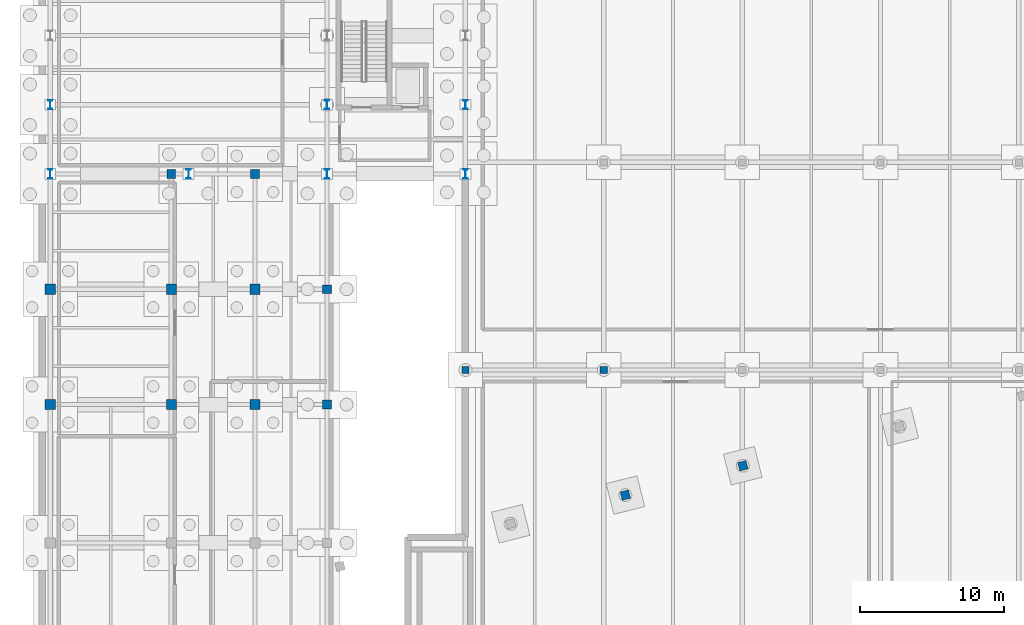
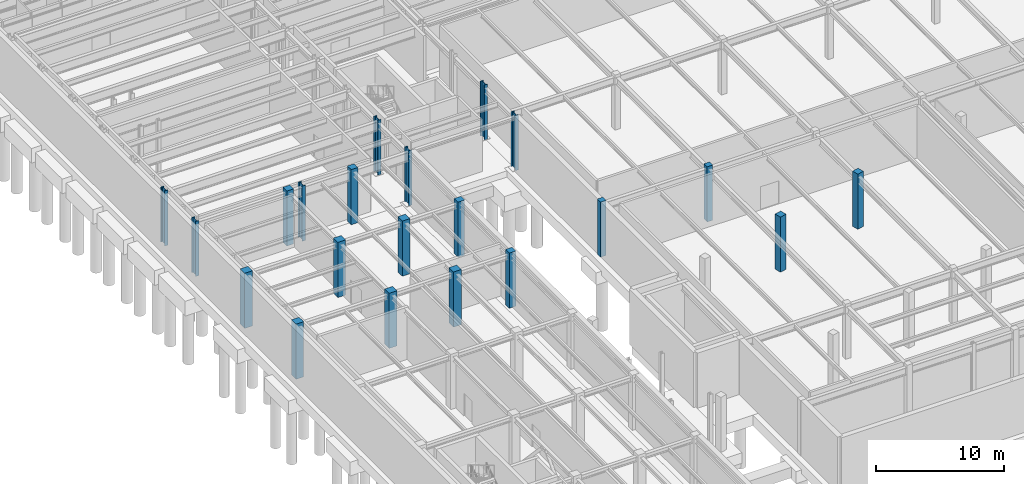
# One storey, part 8 of 33: 21 columns.
"""IFC4 building model written with IfcOpenShell, lengths in metres."""

from ifc_helpers import new_model, si_unit, direction, frame, origin, origin_2d, place, context, subcontext, project, spatial, rectangle, i_section, extrude, material, material_profile, profile_set, type_object, element, save


model = new_model("IFC4")

# Units and contexts
model_context = context("Model", 3, precision=1e-05, world=origin(), true_north=direction((0.0, 1.0)))
body_context = subcontext(model_context, "Body", "Model", "MODEL_VIEW")
ifc_project = project(units=[si_unit("LENGTHUNIT", "METRE"), si_unit("AREAUNIT", "SQUARE_METRE"), si_unit("VOLUMEUNIT", "CUBIC_METRE"), si_unit("PLANEANGLEUNIT", "RADIAN"), si_unit("MASSUNIT", "GRAM", prefix="KILO")], contexts=[model_context])

# Site, building, storey
site_placement = place(None, origin())
site = spatial("IfcSite", under=ifc_project, at=site_placement, CompositionType="ELEMENT")
building_placement = place(site_placement, origin())
building = spatial("IfcBuilding", under=site, at=building_placement, Name="Nordkorset Police Headquarters", CompositionType="ELEMENT")
storey_placement = place(building_placement, frame((0.0, 0.0, -9.800048828125)))
storey = spatial("IfcBuildingStorey", under=building, at=storey_placement, Name="B02", CompositionType="ELEMENT", Elevation=-9.800048828125)

# Columns
ifc_material_1 = material(Name="Steel S355J2", Category="steel")
ifc_material_profile_1 = material_profile(ifc_material_1, i_section(OverallWidth=0.300048828125, OverallDepth=0.64990234375, WebThickness=0.01611328125, FlangeThickness=0.031005859375, FilletRadius=0.027099609375, at=origin_2d()), Name="HEB 650")
ifc_profile_set_1 = profile_set([ifc_material_profile_1], Name="Steel S355J2")
column_type_1 = type_object("IfcColumnType", Name="Col_HEB_650", PredefinedType="COLUMN", material=ifc_profile_set_1)
for number, where, z_axis, x_axis, name in (
    (1, (0.0, 83.199951171875, 0.0), (0.0, 0.0, 1.0), (1.0, 0.0, 0.0), "Structural Column V1_W_0 B02"),
    (2, (28.800048828125, 83.199951171875, 0.0), (0.0, 0.0, 1.0), (1.0, 0.0, 0.0), "Structural Column V1_E_0 B02"),
    (3, (0.0, 88.0, 0.0), (0.0, 0.0, 1.0), (1.0, 0.0, 0.0), "Structural Column V1_W_1 B02"),
    (4, (28.800048828125, 88.0, 0.0), (0.0, 0.0, 1.0), (1.0, 0.0, 0.0), "Structural Column V1_E_1 B02"),
    (5, (9.60009765625, 83.199951171875, 0.0), (0.0, 0.0, 1.0), (1.0, 0.0, 0.0), "Structural Column V1_S_0 B02"),
    (6, (19.199951171875, 83.199951171875, 0.0), (0.0, 0.0, 1.0), (1.0, 0.0, 0.0), "Structural Column V1_S_1 B02"),
    (7, (19.199951171875, 88.0, 0.0), (0.0, 0.0, 1.0), (1.0, 0.0, 0.0), "Structural Column V1_CW_0 B02"),
):
    element("IfcColumn", number, at=place(storey_placement, frame(where, z_axis=z_axis, x_axis=x_axis)), inside=storey, type_object=column_type_1, Name=name, PredefinedType="COLUMN", context=body_context, shape_type="SweptSolid", body=[
        extrude(i_section(OverallWidth=0.300048828125, OverallDepth=0.64990234375, WebThickness=0.01611328125, FlangeThickness=0.031005859375, FilletRadius=0.027099609375, at=origin_2d()), origin(), (0.0, 0.0, 1.0), 5.25),
    ])
ifc_material_2 = material(Name="Concrete C45/55", Category="concrete")
ifc_material_profile_2 = material_profile(ifc_material_2, rectangle(XDim=0.5, YDim=0.5, at=origin_2d()), Name="RC 500x500")
ifc_profile_set_2 = profile_set([ifc_material_profile_2], Name="Concrete C45/55")
column_type_2 = type_object("IfcColumnType", Name="Col_RC_500x500", PredefinedType="COLUMN", material=ifc_profile_set_2)
for number, where, z_axis, x_axis, name in (
    (8, (28.800048828125, 69.60009765625, 0.0), (0.0, 0.0, 1.0), (1.0, 0.0, 0.0), "Structural Column SUB_C_0_2 B02"),
    (9, (38.39990234375, 69.60009765625, 0.0), (0.0, 0.0, 1.0), (1.0, 0.0, 0.0), "Structural Column SUB_C_1_2 B02"),
):
    element("IfcColumn", number, at=place(storey_placement, frame(where, z_axis=z_axis, x_axis=x_axis)), inside=storey, type_object=column_type_2, Name=name, PredefinedType="COLUMN", context=body_context, shape_type="SweptSolid", body=[
        extrude(rectangle(XDim=0.5, YDim=0.5, at=origin_2d()), origin(), (0.0, 0.0, 1.0), 5.25),
    ])
ifc_material_3 = material(Name="Concrete C45/55", Category="concrete")
ifc_material_profile_3 = material_profile(ifc_material_3, rectangle(XDim=0.60009765625, YDim=0.60009765625, at=origin_2d()), Name="RC 600x600")
ifc_profile_set_3 = profile_set([ifc_material_profile_3], Name="Concrete C45/55")
column_type_3 = type_object("IfcColumnType", Name="Col_RC_600x600", PredefinedType="COLUMN", material=ifc_profile_set_3)
for number, where, z_axis, x_axis, name in (
    (10, (19.199951171875, 67.199951171875, 0.0), (0.0, 0.0, 1.0), (1.0, 0.0, 0.0), "Structural Column V3_X3_4 B02"),
    (11, (19.199951171875, 75.199951171875, 0.0), (0.0, 0.0, 1.0), (1.0, 0.0, 0.0), "Structural Column V3_X3_5 B02"),
    (12, (8.39990234375, 83.199951171875, 0.0), (0.0, 0.0, 1.0), (1.0, 0.0, 0.0), "Structural Column V3_X1_6 B02"),
    (13, (14.199951171875, 83.199951171875, 0.0), (0.0, 0.0, 1.0), (1.0, 0.0, 0.0), "Structural Column V3_X2_6 B02"),
    (14, (39.8984375, 60.917724609375, 0.0), (0.0, 0.0, 1.0), (0.970142500145, 0.242535625038, 0.0), "Structural Column V4_U2_V1 B02"),
    (15, (48.047607421875, 62.955078125, 0.0), (0.0, 0.0, 1.0), (0.970142500145, 0.242535625038, 0.0), "Structural Column V4_U3_V1 B02"),
):
    element("IfcColumn", number, at=place(storey_placement, frame(where, z_axis=z_axis, x_axis=x_axis)), inside=storey, type_object=column_type_3, Name=name, PredefinedType="COLUMN", context=body_context, shape_type="SweptSolid", body=[
        extrude(rectangle(XDim=0.60009765625, YDim=0.60009765625, at=origin_2d()), origin(), (0.0, 0.0, 1.0), 5.25),
    ])
ifc_material_4 = material(Name="Concrete C45/55", Category="concrete")
ifc_material_profile_4 = material_profile(ifc_material_4, rectangle(XDim=0.699951171875, YDim=0.699951171875, at=origin_2d()), Name="RC 700x700")
ifc_profile_set_4 = profile_set([ifc_material_profile_4], Name="Concrete C45/55")
column_type_4 = type_object("IfcColumnType", Name="Col_RC_700x700", PredefinedType="COLUMN", material=ifc_profile_set_4)
for number, where, z_axis, x_axis, name in (
    (16, (0.0, 67.199951171875, 0.0), (0.0, 0.0, 1.0), (1.0, 0.0, 0.0), "Structural Column V3_X0_4 B02"),
    (17, (8.39990234375, 67.199951171875, 0.0), (0.0, 0.0, 1.0), (1.0, 0.0, 0.0), "Structural Column V3_X1_4 B02"),
    (18, (14.199951171875, 67.199951171875, 0.0), (0.0, 0.0, 1.0), (1.0, 0.0, 0.0), "Structural Column V3_X2_4 B02"),
    (19, (0.0, 75.199951171875, 0.0), (0.0, 0.0, 1.0), (1.0, 0.0, 0.0), "Structural Column V3_X0_5 B02"),
    (20, (8.39990234375, 75.199951171875, 0.0), (0.0, 0.0, 1.0), (1.0, 0.0, 0.0), "Structural Column V3_X1_5 B02"),
    (21, (14.199951171875, 75.199951171875, 0.0), (0.0, 0.0, 1.0), (1.0, 0.0, 0.0), "Structural Column V3_X2_5 B02"),
):
    element("IfcColumn", number, at=place(storey_placement, frame(where, z_axis=z_axis, x_axis=x_axis)), inside=storey, type_object=column_type_4, Name=name, PredefinedType="COLUMN", context=body_context, shape_type="SweptSolid", body=[
        extrude(rectangle(XDim=0.699951171875, YDim=0.699951171875, at=origin_2d()), origin(), (0.0, 0.0, 1.0), 5.25),
    ])

save(model, "model.ifc")
